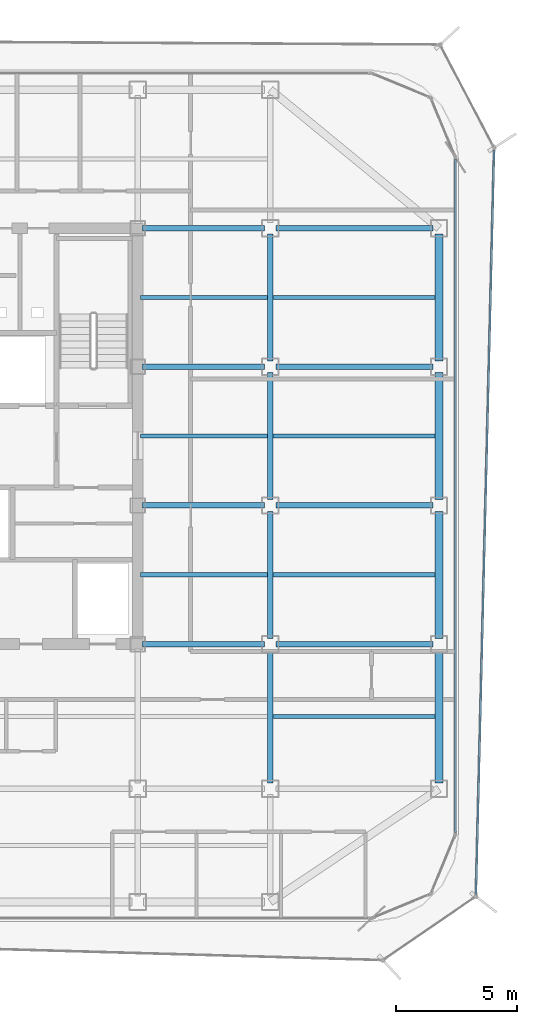
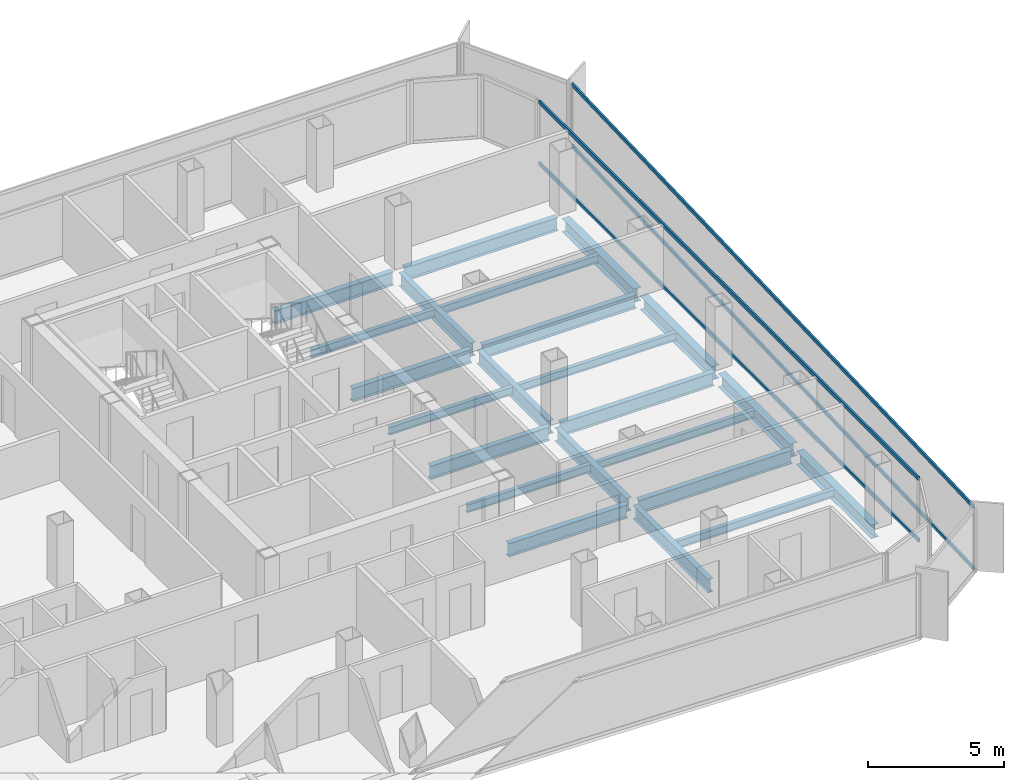
# One storey, part 5 of 15: 23 beams, 4 members, 2 elements without a shape of their own.
"""IFC4 building model written with IfcOpenShell, lengths in metres."""

from ifc_helpers import new_model, si_unit, direction, frame, origin, origin_2d, place, context, subcontext, project, spatial, hollow_rectangle, i_section, extrude, source, transform, mapped, material, layer, layer_set, material_profile, profile_set, type_object, element, aggregate, save


model = new_model("IFC4")

# Units and contexts
model_context = context("Model", 3, precision=1e-05, world=origin(), true_north=direction((0.0, 1.0)))
body_context = subcontext(model_context, "Body", "Model", "MODEL_VIEW")
ifc_project = project(units=[si_unit("LENGTHUNIT", "METRE"), si_unit("AREAUNIT", "SQUARE_METRE"), si_unit("VOLUMEUNIT", "CUBIC_METRE"), si_unit("PLANEANGLEUNIT", "RADIAN"), si_unit("MASSUNIT", "GRAM", prefix="KILO")], contexts=[model_context])

# Site, building, storey
site_placement = place(None, origin())
site = spatial("IfcSite", under=ifc_project, at=site_placement, CompositionType="ELEMENT")
building_placement = place(site_placement, origin())
building = spatial("IfcBuilding", under=site, at=building_placement, Name="Kolveth Station Tower", CompositionType="ELEMENT")
storey_placement = place(building_placement, frame((0.0, 0.0, 184.89990234375)))
storey = spatial("IfcBuildingStorey", under=building, at=storey_placement, Name="L52", CompositionType="ELEMENT", Elevation=184.89990234375)

# Beams
ifc_material_1 = material(Name="Steel S355", Category="steel")
ifc_material_profile_1 = material_profile(ifc_material_1, i_section(OverallWidth=0.323974609375, OverallDepth=0.611083984375, WebThickness=0.0126953125, FlangeThickness=0.01904296875, at=origin_2d()), Name="W610x155")
ifc_profile_set_1 = profile_set([ifc_material_profile_1], Name="Steel S355")
beam_type_1 = type_object("IfcBeamType", Name="Beam_SP2", PredefinedType="SPANDREL", material=ifc_profile_set_1)
shared_shape_1 = source(origin(), body_context, "Body", "SweptSolid", [
    extrude(i_section(OverallWidth=0.323974609375, OverallDepth=0.611083984375, WebThickness=0.0126953125, FlangeThickness=0.01904296875, at=origin_2d()), origin(), (0.0, 0.0, 1.0), 5.52001953125),
])
beam_1_placement = place(storey_placement, frame((41.0, 5.739990234375, -0.555419921875), z_axis=(0.0, 1.0, 0.0), x_axis=(-1.0, 0.0, 0.0)))
element("IfcBeam", 1, at=beam_1_placement, inside=storey, type_object=beam_type_1, Name="L52 Perimeter Spandrel BM-L52-PE-1", PredefinedType="SPANDREL", context=body_context, shape_type="MappedRepresentation", body=[
    mapped(shared_shape_1, transform((0.0, 0.0, 0.0), x_axis=(1.0, 0.0, 0.0), y_axis=(0.0, 1.0, 0.0), z_axis=(0.0, 0.0, 1.0), scale=1.0)),
])
shared_shape_2 = source(origin(), body_context, "Body", "SweptSolid", [
    extrude(i_section(OverallWidth=0.323974609375, OverallDepth=0.611083984375, WebThickness=0.0126953125, FlangeThickness=0.01904296875, at=origin_2d()), origin(), (0.0, 0.0, 1.0), 5.27001953125),
])
for number, where, z_axis, x_axis, name in (
    (2, (41.0, 11.739990234375, -0.555419921875), (0.0, 1.0, 0.0), (-1.0, 0.0, 0.0), "L52 Perimeter Spandrel BM-L52-PE-2"),
    (3, (41.0, 17.489990234375, -0.555419921875), (0.0, 1.0, 0.0), (-1.0, 0.0, 0.0), "L52 Perimeter Spandrel BM-L52-PE-3"),
    (4, (41.0, 23.239990234375, -0.555419921875), (0.0, 1.0, 0.0), (-1.0, 0.0, 0.0), "L52 Perimeter Spandrel BM-L52-PE-4"),
):
    element("IfcBeam", number, at=place(storey_placement, frame(where, z_axis=z_axis, x_axis=x_axis)), inside=storey, type_object=beam_type_1, Name=name, PredefinedType="SPANDREL", context=body_context, shape_type="MappedRepresentation", body=[
        mapped(shared_shape_2, transform((0.0, 0.0, 0.0), x_axis=(1.0, 0.0, 0.0), y_axis=(0.0, 1.0, 0.0), z_axis=(0.0, 0.0, 1.0), scale=1.0)),
    ])
ifc_material_profile_2 = material_profile(ifc_material_1, i_section(OverallWidth=0.22900390625, OverallDepth=0.612060546875, WebThickness=0.011962890625, FlangeThickness=0.01953125, at=origin_2d()), Name="W610x125")
ifc_profile_set_2 = profile_set([ifc_material_profile_2], Name="Steel S355")
beam_type_2 = type_object("IfcBeamType", Name="Beam_B5", PredefinedType="BEAM", material=ifc_profile_set_2)
shared_shape_3 = source(origin(), body_context, "Body", "SweptSolid", [
    extrude(i_section(OverallWidth=0.22900390625, OverallDepth=0.612060546875, WebThickness=0.011962890625, FlangeThickness=0.01953125, at=origin_2d()), origin(), (0.0, 0.0, 1.0), 6.52001953125),
])
for number, where, z_axis, x_axis, name in (
    (5, (34.239990234375, 11.5, -0.555908203125), (1.0, 0.0, 0.0), (0.0, 1.0, 0.0), "L52 Primary Girder BM-L52-GY115-6"),
    (6, (34.239990234375, 17.25, -0.555908203125), (1.0, 0.0, 0.0), (0.0, 1.0, 0.0), "L52 Primary Girder BM-L52-GY172-6"),
    (7, (34.239990234375, 23.0, -0.555908203125), (1.0, 0.0, 0.0), (0.0, 1.0, 0.0), "L52 Primary Girder BM-L52-GY230-6"),
    (8, (34.239990234375, 28.75, -0.555908203125), (1.0, 0.0, 0.0), (0.0, 1.0, 0.0), "L52 Primary Girder BM-L52-GY287-6"),
):
    element("IfcBeam", number, at=place(storey_placement, frame(where, z_axis=z_axis, x_axis=x_axis)), inside=storey, type_object=beam_type_2, Name=name, PredefinedType="BEAM", context=body_context, shape_type="MappedRepresentation", body=[
        mapped(shared_shape_3, transform((0.0, 0.0, 0.0), x_axis=(1.0, 0.0, 0.0), y_axis=(0.0, 1.0, 0.0), z_axis=(0.0, 0.0, 1.0), scale=1.0)),
    ])
shared_shape_4 = source(origin(), body_context, "Body", "SweptSolid", [
    extrude(i_section(OverallWidth=0.22900390625, OverallDepth=0.612060546875, WebThickness=0.011962890625, FlangeThickness=0.01953125, at=origin_2d()), origin(), (0.0, 0.0, 1.0), 5.06005859375),
])
for number, where, z_axis, x_axis, name in (
    (9, (28.699951171875, 11.5, -0.555908203125), (1.0, 0.0, 0.0), (0.0, 1.0, 0.0), "L52 Primary Girder BM-L52-GY115-5"),
    (10, (28.699951171875, 17.25, -0.555908203125), (1.0, 0.0, 0.0), (0.0, 1.0, 0.0), "L52 Primary Girder BM-L52-GY172-5"),
    (11, (28.699951171875, 23.0, -0.555908203125), (1.0, 0.0, 0.0), (0.0, 1.0, 0.0), "L52 Primary Girder BM-L52-GY230-5"),
    (12, (28.699951171875, 28.75, -0.555908203125), (1.0, 0.0, 0.0), (0.0, 1.0, 0.0), "L52 Primary Girder BM-L52-GY287-5"),
):
    element("IfcBeam", number, at=place(storey_placement, frame(where, z_axis=z_axis, x_axis=x_axis)), inside=storey, type_object=beam_type_2, Name=name, PredefinedType="BEAM", context=body_context, shape_type="MappedRepresentation", body=[
        mapped(shared_shape_4, transform((0.0, 0.0, 0.0), x_axis=(1.0, 0.0, 0.0), y_axis=(0.0, 1.0, 0.0), z_axis=(0.0, 0.0, 1.0), scale=1.0)),
    ])
shared_shape_5 = source(origin(), body_context, "Body", "SweptSolid", [
    extrude(i_section(OverallWidth=0.22900390625, OverallDepth=0.612060546875, WebThickness=0.011962890625, FlangeThickness=0.01953125, at=origin_2d()), origin(), (0.0, 0.0, 1.0), 5.52001953125),
])
beam_2_placement = place(storey_placement, frame((34.0, 5.739990234375, -0.555908203125), z_axis=(0.0, 1.0, 0.0), x_axis=(-1.0, 0.0, 0.0)))
element("IfcBeam", 13, at=beam_2_placement, inside=storey, type_object=beam_type_2, Name="L52 Primary Girder BM-L52-GX340-2", PredefinedType="BEAM", context=body_context, shape_type="MappedRepresentation", body=[
    mapped(shared_shape_5, transform((0.0, 0.0, 0.0), x_axis=(1.0, 0.0, 0.0), y_axis=(0.0, 1.0, 0.0), z_axis=(0.0, 0.0, 1.0), scale=1.0)),
])
shared_shape_6 = source(origin(), body_context, "Body", "SweptSolid", [
    extrude(i_section(OverallWidth=0.22900390625, OverallDepth=0.612060546875, WebThickness=0.011962890625, FlangeThickness=0.01953125, at=origin_2d()), origin(), (0.0, 0.0, 1.0), 5.27001953125),
])
for number, where, z_axis, x_axis, name in (
    (14, (34.0, 11.739990234375, -0.555908203125), (0.0, 1.0, 0.0), (-1.0, 0.0, 0.0), "L52 Primary Girder BM-L52-GX340-3"),
    (15, (34.0, 17.489990234375, -0.555908203125), (0.0, 1.0, 0.0), (-1.0, 0.0, 0.0), "L52 Primary Girder BM-L52-GX340-4"),
    (16, (34.0, 23.239990234375, -0.555908203125), (0.0, 1.0, 0.0), (-1.0, 0.0, 0.0), "L52 Primary Girder BM-L52-GX340-5"),
):
    element("IfcBeam", number, at=place(storey_placement, frame(where, z_axis=z_axis, x_axis=x_axis)), inside=storey, type_object=beam_type_2, Name=name, PredefinedType="BEAM", context=body_context, shape_type="MappedRepresentation", body=[
        mapped(shared_shape_6, transform((0.0, 0.0, 0.0), x_axis=(1.0, 0.0, 0.0), y_axis=(0.0, 1.0, 0.0), z_axis=(0.0, 0.0, 1.0), scale=1.0)),
    ])
ifc_material_profile_3 = material_profile(ifc_material_1, i_section(OverallWidth=0.1708984375, OverallDepth=0.35205078125, WebThickness=0.0068359375, FlangeThickness=0.009765625, at=origin_2d()), Name="W360x44")
ifc_profile_set_3 = profile_set([ifc_material_profile_3], Name="Steel S355")
beam_type_3 = type_object("IfcBeamType", Name="Beam_J2", PredefinedType="JOIST", material=ifc_profile_set_3)
shared_shape_7 = source(origin(), body_context, "Body", "SweptSolid", [
    extrude(i_section(OverallWidth=0.1708984375, OverallDepth=0.35205078125, WebThickness=0.0068359375, FlangeThickness=0.009765625, at=origin_2d()), origin(), (0.0, 0.0, 1.0), 5.27490234375),
])
for number, where, z_axis, x_axis, name in (
    (17, (28.612548828125, 14.375, -0.42578125), (1.0, 0.0, 0.0), (0.0, 1.0, 0.0), "L52 Secondary Joist JST-L52-5-3"),
    (18, (28.612548828125, 20.125, -0.42578125), (1.0, 0.0, 0.0), (0.0, 1.0, 0.0), "L52 Secondary Joist JST-L52-5-4"),
    (19, (28.612548828125, 25.875, -0.42578125), (1.0, 0.0, 0.0), (0.0, 1.0, 0.0), "L52 Secondary Joist JST-L52-5-5"),
):
    element("IfcBeam", number, at=place(storey_placement, frame(where, z_axis=z_axis, x_axis=x_axis)), inside=storey, type_object=beam_type_3, Name=name, PredefinedType="JOIST", context=body_context, shape_type="MappedRepresentation", body=[
        mapped(shared_shape_7, transform((0.0, 0.0, 0.0), x_axis=(1.0, 0.0, 0.0), y_axis=(0.0, 1.0, 0.0), z_axis=(0.0, 0.0, 1.0), scale=1.0)),
    ])
shared_shape_8 = source(origin(), body_context, "Body", "SweptSolid", [
    extrude(i_section(OverallWidth=0.1708984375, OverallDepth=0.35205078125, WebThickness=0.0068359375, FlangeThickness=0.009765625, at=origin_2d()), origin(), (0.0, 0.0, 1.0), 6.7275390625),
])
for number, where, z_axis, x_axis, name in (
    (20, (34.112548828125, 8.5, -0.42578125), (1.0, 0.0, 0.0), (0.0, 1.0, 0.0), "L52 Secondary Joist JST-L52-6-2"),
    (21, (34.112548828125, 14.375, -0.42578125), (1.0, 0.0, 0.0), (0.0, 1.0, 0.0), "L52 Secondary Joist JST-L52-6-3"),
    (22, (34.112548828125, 20.125, -0.42578125), (1.0, 0.0, 0.0), (0.0, 1.0, 0.0), "L52 Secondary Joist JST-L52-6-4"),
    (23, (34.112548828125, 25.875, -0.42578125), (1.0, 0.0, 0.0), (0.0, 1.0, 0.0), "L52 Secondary Joist JST-L52-6-5"),
):
    element("IfcBeam", number, at=place(storey_placement, frame(where, z_axis=z_axis, x_axis=x_axis)), inside=storey, type_object=beam_type_3, Name=name, PredefinedType="JOIST", context=body_context, shape_type="MappedRepresentation", body=[
        mapped(shared_shape_8, transform((0.0, 0.0, 0.0), x_axis=(1.0, 0.0, 0.0), y_axis=(0.0, 1.0, 0.0), z_axis=(0.0, 0.0, 1.0), scale=1.0)),
    ])

# Curtain wall, members
ifc_material_2 = material(Name="Aluminium 6063-T6 and low-E dark glass", Category="aluminium")
ifc_layer_1 = layer(ifc_material_2, 0.18994140625)
ifc_layer_set_1 = layer_set([ifc_layer_1], Name="Aluminium 6063-T6 and low-E dark glass")
curtain_wall_type_1 = type_object("IfcCurtainWallType", Name="CurtainWall_CW-Z2", PredefinedType="NOTDEFINED", material=ifc_layer_set_1)
curtain_wall_1_placement = place(storey_placement, origin())
curtain_wall_1 = element("IfcCurtainWall", 24, at=curtain_wall_1_placement, inside=storey, type_object=curtain_wall_type_1, Name="L52 Inner Thermal Curtain Wall 3", PredefinedType="NOTDEFINED")
ifc_material_3 = material(Name="Black anodized aluminium 6063-T6", Category="aluminium")
ifc_material_profile_4 = material_profile(ifc_material_3, hollow_rectangle(XDim=0.080078125, YDim=0.169921875, WallThickness=0.0048828125, at=origin_2d()), Name="ALU-80x170x5")
ifc_profile_set_4 = profile_set([ifc_material_profile_4], Name="Black anodized aluminium 6063-T6")
member_type_1 = type_object("IfcMemberType", Name="Transom_TR2", PredefinedType="USERDEFINED", material=ifc_profile_set_4)
shared_shape_9 = source(origin(), body_context, "Body", "SweptSolid", [
    extrude(hollow_rectangle(XDim=0.080078125, YDim=0.169921875, WallThickness=0.0048828125, at=origin_2d()), origin(), (0.0, 0.0, 1.0), 27.940185546875),
])
member_1_placement = place(storey_placement, frame((41.679931640625, 3.679931640625, 0.0400390625), z_axis=(0.0, 1.0, 0.0), x_axis=(-1.0, 0.0, 0.0)))
member_1 = element("IfcMember", 25, at=member_1_placement, type_object=member_type_1, Name="CW-Z2 transom 1.1", ObjectType="TRANSOM", PredefinedType="USERDEFINED", context=body_context, shape_type="MappedRepresentation", body=[
    mapped(shared_shape_9, transform((0.0, 0.0, 0.0), x_axis=(1.0, 0.0, 0.0), y_axis=(0.0, 1.0, 0.0), z_axis=(0.0, 0.0, 1.0), scale=1.0)),
])
member_2_placement = place(storey_placement, frame((41.679931640625, 3.679931640625, 2.800048828125), z_axis=(0.0, 1.0, 0.0), x_axis=(-1.0, 0.0, 0.0)))
member_2 = element("IfcMember", 26, at=member_2_placement, type_object=member_type_1, Name="CW-Z2 transom 1.2", ObjectType="TRANSOM", PredefinedType="USERDEFINED", context=body_context, shape_type="MappedRepresentation", body=[
    mapped(shared_shape_9, transform((0.0, 0.0, 0.0), x_axis=(1.0, 0.0, 0.0), y_axis=(0.0, 1.0, 0.0), z_axis=(0.0, 0.0, 1.0), scale=1.0)),
])
aggregate(curtain_wall_1, [member_1, member_2])

ifc_material_4 = material(Name="Black anodized aluminium 6063-T6 and dark solar glass", Category="aluminium")
ifc_layer_2 = layer(ifc_material_4, 0.159912109375)
ifc_layer_set_2 = layer_set([ifc_layer_2], Name="Black anodized aluminium 6063-T6 and dark solar glass")
curtain_wall_type_2 = type_object("IfcCurtainWallType", Name="OUTER SKIN CW-OS", PredefinedType="NOTDEFINED", material=ifc_layer_set_2)
curtain_wall_2_placement = place(storey_placement, origin())
curtain_wall_2 = element("IfcCurtainWall", 27, at=curtain_wall_2_placement, inside=storey, type_object=curtain_wall_type_2, Name="L52 Outer Ventilated Skin Curtain Wall 2", PredefinedType="NOTDEFINED")
ifc_material_profile_5 = material_profile(ifc_material_3, hollow_rectangle(XDim=0.080078125, YDim=0.14990234375, WallThickness=0.0048828125, at=origin_2d()), Name="ALU-80x150x5")
ifc_profile_set_5 = profile_set([ifc_material_profile_5], Name="Black anodized aluminium 6063-T6")
member_type_2 = type_object("IfcMemberType", Name="Transom_TR-OS", PredefinedType="USERDEFINED", material=ifc_profile_set_5)
shared_shape_10 = source(origin(), body_context, "Body", "SweptSolid", [
    extrude(hollow_rectangle(XDim=0.080078125, YDim=0.14990234375, WallThickness=0.0048828125, at=origin_2d()), origin(), (0.0, 0.0, 1.0), 30.88720703125),
])
member_3_placement = place(storey_placement, frame((42.5322265625, 1.121826171875, 0.0400390625), z_axis=(0.024361027728, 0.999703226127, 0.0), x_axis=(-0.999703226127, 0.024361027728, 0.0)))
member_3 = element("IfcMember", 28, at=member_3_placement, type_object=member_type_2, Name="CW-OS transom 1.1", ObjectType="TRANSOM", PredefinedType="USERDEFINED", context=body_context, shape_type="MappedRepresentation", body=[
    mapped(shared_shape_10, transform((0.0, 0.0, 0.0), x_axis=(1.0, 0.0, 0.0), y_axis=(0.0, 1.0, 0.0), z_axis=(0.0, 0.0, 1.0), scale=1.0)),
])
member_4_placement = place(storey_placement, frame((42.5322265625, 1.121826171875, 2.800048828125), z_axis=(0.024361027728, 0.999703226127, 0.0), x_axis=(-0.999703226127, 0.024361027728, 0.0)))
member_4 = element("IfcMember", 29, at=member_4_placement, type_object=member_type_2, Name="CW-OS transom 1.2", ObjectType="TRANSOM", PredefinedType="USERDEFINED", context=body_context, shape_type="MappedRepresentation", body=[
    mapped(shared_shape_10, transform((0.0, 0.0, 0.0), x_axis=(1.0, 0.0, 0.0), y_axis=(0.0, 1.0, 0.0), z_axis=(0.0, 0.0, 1.0), scale=1.0)),
])
aggregate(curtain_wall_2, [member_3, member_4])

save(model, "model.ifc")
